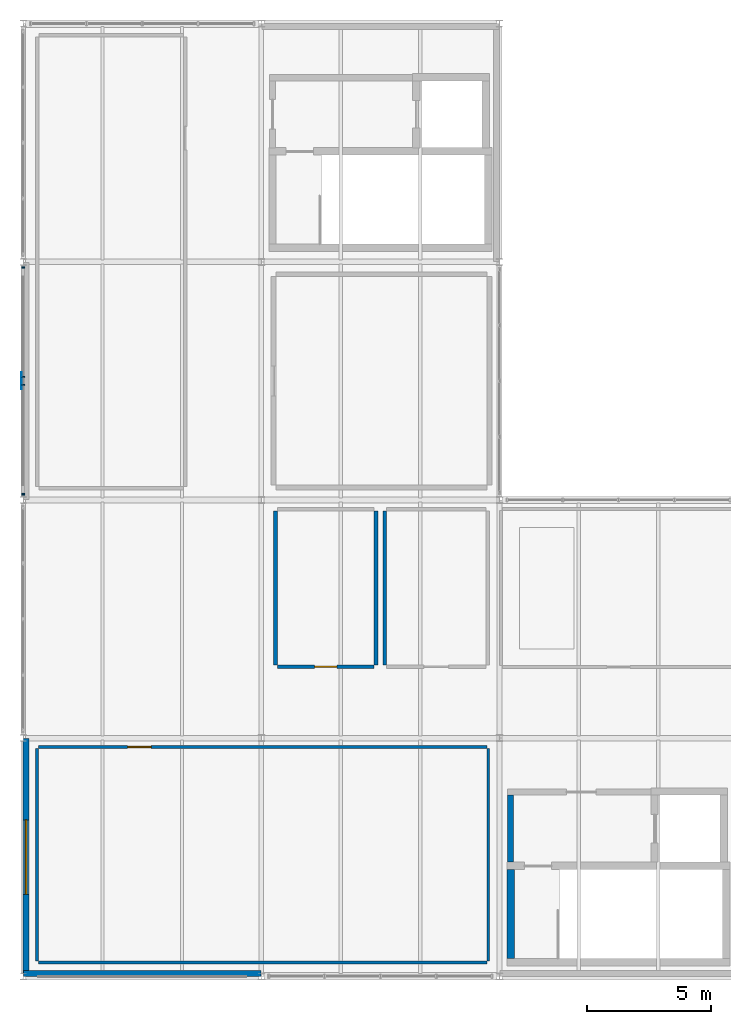
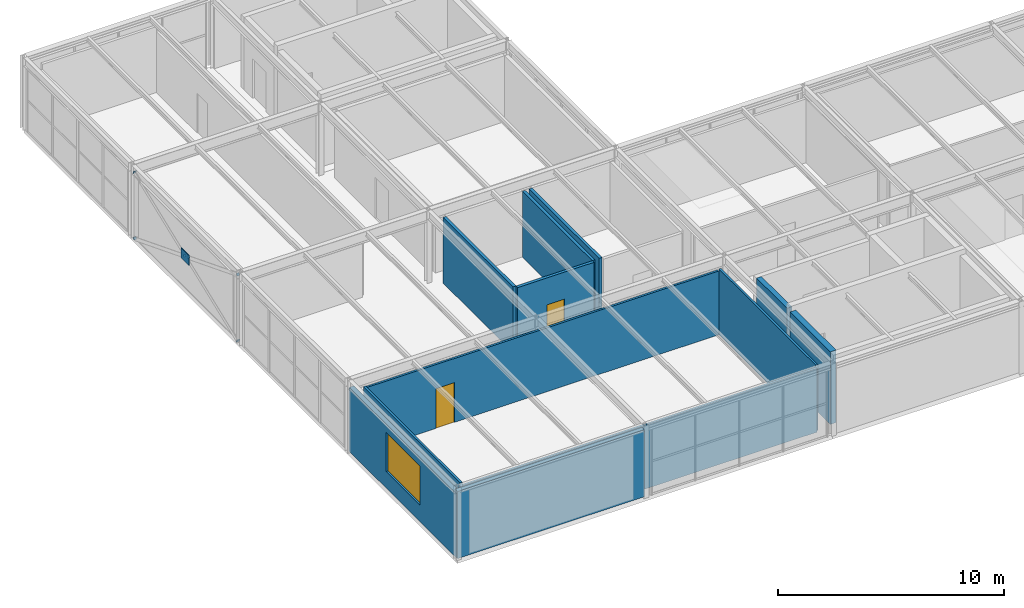
# One storey, part 30 of 33: 12 walls, 7 plates, 2 doors, 1 window, 3 openings.
"""IFC4 building model written with IfcOpenShell, lengths in metres."""

from ifc_helpers import new_model, si_unit, direction, frame, frame_2d, origin, origin_2d, place, context, subcontext, project, spatial, rectangle, extrude, material, layer, layer_set, type_object, element, fill, save


model = new_model("IFC4")

# Units and contexts
model_context = context("Model", 3, precision=1e-05, world=origin(), true_north=direction((0.0, 1.0)))
body_context = subcontext(model_context, "Body", "Model", "MODEL_VIEW")
ifc_project = project(units=[si_unit("LENGTHUNIT", "METRE"), si_unit("AREAUNIT", "SQUARE_METRE"), si_unit("VOLUMEUNIT", "CUBIC_METRE"), si_unit("PLANEANGLEUNIT", "RADIAN"), si_unit("MASSUNIT", "GRAM", prefix="KILO")], contexts=[model_context])

# Site, building, storey
site_placement = place(None, origin())
site = spatial("IfcSite", under=ifc_project, at=site_placement, CompositionType="ELEMENT")
building_placement = place(site_placement, origin())
building = spatial("IfcBuilding", under=site, at=building_placement, Name="Coralgate Yard Interchange", CompositionType="ELEMENT")
storey_placement = place(building_placement, frame((0.0, 0.0, 23.10009765625)))
storey = spatial("IfcBuildingStorey", under=building, at=storey_placement, Name="L05", CompositionType="ELEMENT", Elevation=23.10009765625)

# Plates
ifc_material_1 = material(Name="Structural steel S355J2", Category="steel")
ifc_layer_1 = layer(ifc_material_1, 0.01806640625)
ifc_layer_set_1 = layer_set([ifc_layer_1], Name="Structural steel S355J2")
plate_type_1 = type_object("IfcPlateType", Name="PLT-EP-18", PredefinedType="USERDEFINED", material=ifc_layer_set_1)
for number, where, z_axis, x_axis, name in (
    (1, (0.0, 19.44189453125, 0.020751953125), (0.0, -0.930850706686, -0.365399728877), (1.0, 0.0, 0.0), "Steel hollow section end cap plate CAP-BRC-L05-W-A-0"),
    (2, (0.0, 28.55810546875, 3.59912109375), (0.0, 0.930850706686, 0.365399728877), (-1.0, 0.0, 0.0), "Steel hollow section end cap plate CAP-BRC-L05-W-A-1"),
    (3, (0.0, 28.55810546875, 0.020751953125), (0.0, 0.930850706686, -0.365399728877), (-1.0, 0.0, 0.0), "Steel hollow section end cap plate CAP-BRC-L05-W-B1-0"),
    (4, (0.0, 24.170166015625, 1.742919921875), (0.0, -0.930850706686, 0.365399728877), (1.0, 0.0, 0.0), "Steel hollow section end cap plate CAP-BRC-L05-W-B1-1"),
    (5, (0.0, 23.829833984375, 1.876953125), (0.0, 0.930850706686, -0.365399728877), (-1.0, 0.0, 0.0), "Steel hollow section end cap plate CAP-BRC-L05-W-B2-0"),
    (6, (0.0, 19.44189453125, 3.59912109375), (0.0, -0.930850706686, 0.365399728877), (1.0, 0.0, 0.0), "Steel hollow section end cap plate CAP-BRC-L05-W-B2-1"),
):
    element("IfcPlate", number, at=place(storey_placement, frame(where, z_axis=z_axis, x_axis=x_axis)), inside=storey, type_object=plate_type_1, Name=name, ObjectType="CAP PLATE", PredefinedType="USERDEFINED", context=body_context, shape_type="SweptSolid", body=[
        extrude(rectangle(XDim=0.1298828125, YDim=0.1298828125, at=origin_2d()), origin(), (0.0, 0.0, 1.0), 0.01806640625),
    ])
ifc_material_2 = material(Name="Yellow-ochre weather-coated structural steel S355J2", Category="steel")
ifc_layer_2 = layer(ifc_material_2, 0.02392578125)
ifc_layer_set_2 = layer_set([ifc_layer_2], Name="Yellow-ochre weather-coated structural steel S355J2")
plate_type_2 = type_object("IfcPlateType", Name="PLT-EP-24", PredefinedType="USERDEFINED", material=ifc_layer_set_2)
plate_placement = place(storey_placement, frame((-0.06103515625, 24.0, 1.52978515625), z_axis=(0.0, 0.0, 1.0), x_axis=(0.0, 1.0, 0.0)))
element("IfcPlate", 7, at=plate_placement, inside=storey, type_object=plate_type_2, Name="L05 X-brace crossing gusset plate W", ObjectType="CAP PLATE", PredefinedType="USERDEFINED", context=body_context, shape_type="SweptSolid", body=[
    extrude(rectangle(XDim=0.679931640625, YDim=0.02392578125, at=origin_2d()), origin(), (0.0, 0.0, 1.0), 0.56005859375),
])

# Walls
ifc_material_3 = material(Name="Concrete C40/50", Category="concrete")
ifc_layer_3 = layer(ifc_material_3, 0.300048828125)
ifc_layer_set_3 = layer_set([ifc_layer_3], Name="Concrete C40/50")
wall_type_1 = type_object("IfcWallType", Name="WAL-CW300", PredefinedType="SHEAR", material=ifc_layer_set_3)
wall_1_placement = place(storey_placement, frame((19.64990234375, 0.719970703125, 0.0), z_axis=(0.0, 0.0, 1.0), x_axis=(0.0, 1.0, 0.0)))
element("IfcWall", 8, at=wall_1_placement, inside=storey, type_object=wall_type_1, Name="C3 L05 stair west shear wall", PredefinedType="SHEAR", context=body_context, shape_type="SweptSolid", body=[
    extrude(rectangle(XDim=3.580078125, YDim=0.300048828125, at=frame_2d((1.7900390625, 0.0))), origin(), (0.0, 0.0, 1.0), 3.919921875),
])
ifc_material_4 = material(Name="Insulated rendered concrete blockwork", Category="masonry")
ifc_layer_4 = layer(ifc_material_4, 0.239990234375)
ifc_layer_set_4 = layer_set([ifc_layer_4], Name="Insulated rendered concrete blockwork")
wall_type_2 = type_object("IfcWallType", Name="WAL-EW-240", PredefinedType="SOLIDWALL", material=ifc_layer_set_4)
wall_2_placement = place(storey_placement, frame((9.580078125, 0.1201171875, 0.0), z_axis=(0.0, 0.0, 1.0), x_axis=(-1.0, 0.0, 0.0)))
element("IfcWall", 9, at=wall_2_placement, inside=storey, type_object=wall_type_2, Name="L05 exterior coastal wall S 0-0", PredefinedType="SOLIDWALL", context=body_context, shape_type="SweptSolid", body=[
    extrude(rectangle(XDim=9.56005859375, YDim=0.239990234375, at=frame_2d((4.780029296875, 0.0))), origin(), (0.0, 0.0, 1.0), 3.6298828125),
])

# Wall, opening, window
wall_3_placement = place(storey_placement, frame((0.1201171875, 0.02001953125, 0.0), z_axis=(0.0, 0.0, 1.0), x_axis=(0.0, 1.0, 0.0)))
wall_3 = element("IfcWall", 10, at=wall_3_placement, inside=storey, type_object=wall_type_2, Name="L05 exterior coastal wall W 0-0", PredefinedType="SOLIDWALL", context=body_context, shape_type="SweptSolid", body=[
    extrude(rectangle(XDim=9.56005859375, YDim=0.239990234375, at=frame_2d((4.780029296875, 0.0))), origin(), (0.0, 0.0, 1.0), 3.462890625),
])
opening_1_placement = place(wall_3_placement, frame((3.280029296875, 0.0, 0.89990234375)))
opening_1 = element("IfcOpeningElement", 11, at=opening_1_placement, cuts=wall_3, Name="Opening W-02", PredefinedType="OPENING", context=body_context, shape_type="SweptSolid", body=[
    extrude(rectangle(XDim=3.0, YDim=2.10009765625, at=frame_2d((1.5, 1.050048828125))), frame((0.0, 0.1298828125, 0.0), z_axis=(0.0, -1.0, 0.0), x_axis=(1.0, 0.0, 0.0)), (0.0, 0.0, 1.0), 0.260009765625),
])
ifc_material_5 = material(Name="Thermally broken anodised aluminium and solar-control low-E glass", Category="aluminium")
window_type = type_object("IfcWindowType", Name="WIN-W-02", PartitioningType="SINGLE_PANEL", PredefinedType="WINDOW", material=ifc_material_5)
window_placement = place(opening_1_placement, origin())
window = element("IfcWindow", 12, at=window_placement, inside=storey, type_object=window_type, Name="L05 coastal facade window W-0-0", OverallHeight=2.10009765625, OverallWidth=3.0, PartitioningType="SINGLE_PANEL", PredefinedType="WINDOW", context=body_context, shape_type="SweptSolid", body=[
    extrude(rectangle(XDim=3.0, YDim=2.10009765625, at=frame_2d((1.5, 1.050048828125))), frame((0.0, 0.030029296875, 0.0), z_axis=(0.0, -1.0, 0.0), x_axis=(1.0, 0.0, 0.0)), (0.0, 0.0, 1.0), 0.06005859375),
])
fill(opening_1, window)

# Wall
ifc_material_6 = material(Name="Glazed acoustic office partition")
ifc_layer_5 = layer(ifc_material_6, 0.110107421875)
ifc_layer_set_5 = layer_set([ifc_layer_5], Name="Glazed acoustic office partition")
wall_type_3 = type_object("IfcWallType", Name="WAL-PW-110", PredefinedType="PARTITIONING", material=ifc_layer_set_5)
wall_4_placement = place(storey_placement, frame((18.68994140625, 0.554931640625, 0.0), z_axis=(0.0, 0.0, 1.0), x_axis=(-1.0, 0.0, 0.0)))
element("IfcWall", 13, at=wall_4_placement, inside=storey, type_object=wall_type_3, Name="Network Timetable and Route Planning Office partition S", PredefinedType="PARTITIONING", context=body_context, shape_type="SweptSolid", body=[
    extrude(rectangle(XDim=18.079833984375, YDim=0.110107421875, at=frame_2d((9.0400390625, 0.0))), origin(), (0.0, 0.0, 1.0), 3.452880859375),
])

# Wall, opening, door
wall_5_placement = place(storey_placement, frame((0.610107421875, 9.2451171875, 0.0), z_axis=(0.0, 0.0, 1.0), x_axis=(1.0, 0.0, 0.0)))
wall_5 = element("IfcWall", 14, at=wall_5_placement, inside=storey, type_object=wall_type_3, Name="Network Timetable and Route Planning Office partition N", PredefinedType="PARTITIONING", context=body_context, shape_type="SweptSolid", body=[
    extrude(rectangle(XDim=18.079833984375, YDim=0.110107421875, at=frame_2d((9.0400390625, 0.0))), origin(), (0.0, 0.0, 1.0), 3.452880859375),
])
opening_2_placement = place(wall_5_placement, frame((3.60009765625, 0.0, 0.0)))
opening_2 = element("IfcOpeningElement", 15, at=opening_2_placement, cuts=wall_5, Name="Opening ID-01", PredefinedType="OPENING", context=body_context, shape_type="SweptSolid", body=[
    extrude(rectangle(XDim=0.949951171875, YDim=2.14990234375, at=frame_2d((0.47509765625, 1.074951171875))), frame((0.0, 0.06494140625, 0.0), z_axis=(0.0, -1.0, 0.0), x_axis=(1.0, 0.0, 0.0)), (0.0, 0.0, 1.0), 0.130126953125),
])
ifc_material_7 = material(Name="Solid-core hardwood timber office door", Category="wood")
door_type_1 = type_object("IfcDoorType", Name="DOR-ID-01", OperationType="NOTDEFINED", PredefinedType="DOOR", material=ifc_material_7)
door_1_placement = place(opening_2_placement, origin())
door_1 = element("IfcDoor", 16, at=door_1_placement, inside=storey, type_object=door_type_1, Name="Network Timetable and Route Planning Office door", OperationType="SINGLE_SWING_RIGHT", OverallHeight=2.14990234375, OverallWidth=0.949951171875, PredefinedType="DOOR", context=body_context, shape_type="SweptSolid", body=[
    extrude(rectangle(XDim=0.949951171875, YDim=2.14990234375, at=frame_2d((0.47509765625, 1.074951171875))), frame((0.0, 0.02490234375, 0.0), z_axis=(0.0, -1.0, 0.0), x_axis=(1.0, 0.0, 0.0)), (0.0, 0.0, 1.0), 0.050048828125),
])
fill(opening_2, door_1)

# Walls
for number, where, z_axis, x_axis, name in (
    (17, (0.554931640625, 0.610107421875, 0.0), (0.0, 0.0, 1.0), (0.0, 1.0, 0.0), "Network Timetable and Route Planning Office partition W"),
    (18, (18.7451171875, 9.18994140625, 0.0), (0.0, 0.0, 1.0), (0.0, -1.0, 0.0), "Network Timetable and Route Planning Office partition E"),
):
    element("IfcWall", number, at=place(storey_placement, frame(where, z_axis=z_axis, x_axis=x_axis)), inside=storey, type_object=wall_type_3, Name=name, PredefinedType="PARTITIONING", context=body_context, shape_type="SweptSolid", body=[
        extrude(rectangle(XDim=8.579833984375, YDim=0.110107421875, at=frame_2d((4.2900390625, 0.0))), origin(), (0.0, 0.0, 1.0), 3.559814453125),
    ])

# Wall, opening, door
ifc_material_8 = material(Name="Moisture-resistant masonry washroom wall", Category="masonry")
ifc_layer_6 = layer(ifc_material_8, 0.14990234375)
ifc_layer_set_6 = layer_set([ifc_layer_6], Name="Moisture-resistant masonry washroom wall")
wall_type_4 = type_object("IfcWallType", Name="WAL-PW-150", PredefinedType="PLUMBINGWALL", material=ifc_layer_set_6)
wall_6_placement = place(storey_placement, frame((14.14990234375, 12.47509765625, 0.0), z_axis=(0.0, 0.0, 1.0), x_axis=(-1.0, 0.0, 0.0)))
wall_6 = element("IfcWall", 19, at=wall_6_placement, inside=storey, type_object=wall_type_4, Name="L05 Management Washroom partition S", PredefinedType="PLUMBINGWALL", context=body_context, shape_type="SweptSolid", body=[
    extrude(rectangle(XDim=3.89990234375, YDim=0.14990234375, at=frame_2d((1.949951171875, 0.0))), origin(), (0.0, 0.0, 1.0), 3.559814453125),
])
opening_3_placement = place(wall_6_placement, frame((1.5, 0.0, 0.0)))
opening_3 = element("IfcOpeningElement", 20, at=opening_3_placement, cuts=wall_6, Name="Opening ID-10", PredefinedType="OPENING", context=body_context, shape_type="SweptSolid", body=[
    extrude(rectangle(XDim=0.89990234375, YDim=2.10009765625, at=frame_2d((0.449951171875, 1.050048828125))), frame((0.0, 0.0849609375, 0.0), z_axis=(0.0, -1.0, 0.0), x_axis=(1.0, 0.0, 0.0)), (0.0, 0.0, 1.0), 0.169921875),
])
ifc_material_9 = material(Name="Moisture-resistant laminate washroom door")
door_type_2 = type_object("IfcDoorType", Name="DOR-ID-10", OperationType="NOTDEFINED", PredefinedType="DOOR", material=ifc_material_9)
door_2_placement = place(opening_3_placement, frame((0.89990234375, 0.0, 0.0), z_axis=(0.0, 0.0, 1.0), x_axis=(-1.0, 0.0, 0.0)))
door_2 = element("IfcDoor", 21, at=door_2_placement, inside=storey, type_object=door_type_2, Name="L05 Management Washroom door", OperationType="SINGLE_SWING_LEFT", OverallHeight=2.10009765625, OverallWidth=0.89990234375, PredefinedType="DOOR", context=body_context, shape_type="SweptSolid", body=[
    extrude(rectangle(XDim=0.89990234375, YDim=2.10009765625, at=frame_2d((0.449951171875, 1.050048828125))), frame((0.0, 0.02490234375, 0.0), z_axis=(0.0, -1.0, 0.0), x_axis=(1.0, 0.0, 0.0)), (0.0, 0.0, 1.0), 0.050048828125),
])
fill(opening_3, door_2)

# Walls
for number, where, z_axis, x_axis, name in (
    (22, (10.175048828125, 12.550048828125, 0.0), (0.0, 0.0, 1.0), (0.0, 1.0, 0.0), "L05 Management Washroom partition W"),
    (23, (14.22509765625, 18.75, 0.0), (0.0, 0.0, 1.0), (0.0, -1.0, 0.0), "L05 Management Washroom partition E"),
    (24, (14.574951171875, 12.550048828125, 0.0), (0.0, 0.0, 1.0), (0.0, 1.0, 0.0), "L05 Accessible WC partition W"),
):
    element("IfcWall", number, at=place(storey_placement, frame(where, z_axis=z_axis, x_axis=x_axis)), inside=storey, type_object=wall_type_4, Name=name, PredefinedType="PLUMBINGWALL", context=body_context, shape_type="SweptSolid", body=[
        extrude(rectangle(XDim=6.199951171875, YDim=0.14990234375, at=frame_2d((3.10009765625, 0.0))), origin(), (0.0, 0.0, 1.0), 3.559814453125),
    ])
ifc_layer_7 = layer(ifc_material_3, 0.25)
ifc_layer_set_7 = layer_set([ifc_layer_7], Name="Concrete C40/50")
wall_type_5 = type_object("IfcWallType", Name="WAL-SW250", PredefinedType="SHEAR", material=ifc_layer_set_7)
wall_7_placement = place(storey_placement, frame((19.64990234375, 4.60009765625, 0.0), z_axis=(0.0, 0.0, 1.0), x_axis=(0.0, 1.0, 0.0)))
element("IfcWall", 25, at=wall_7_placement, inside=storey, type_object=wall_type_5, Name="C3 L05 lobby west fire wall", PredefinedType="SHEAR", context=body_context, shape_type="SweptSolid", body=[
    extrude(rectangle(XDim=2.699951171875, YDim=0.25, at=frame_2d((1.35009765625, 0.0))), origin(), (0.0, 0.0, 1.0), 3.919921875),
])

save(model, "model.ifc")
